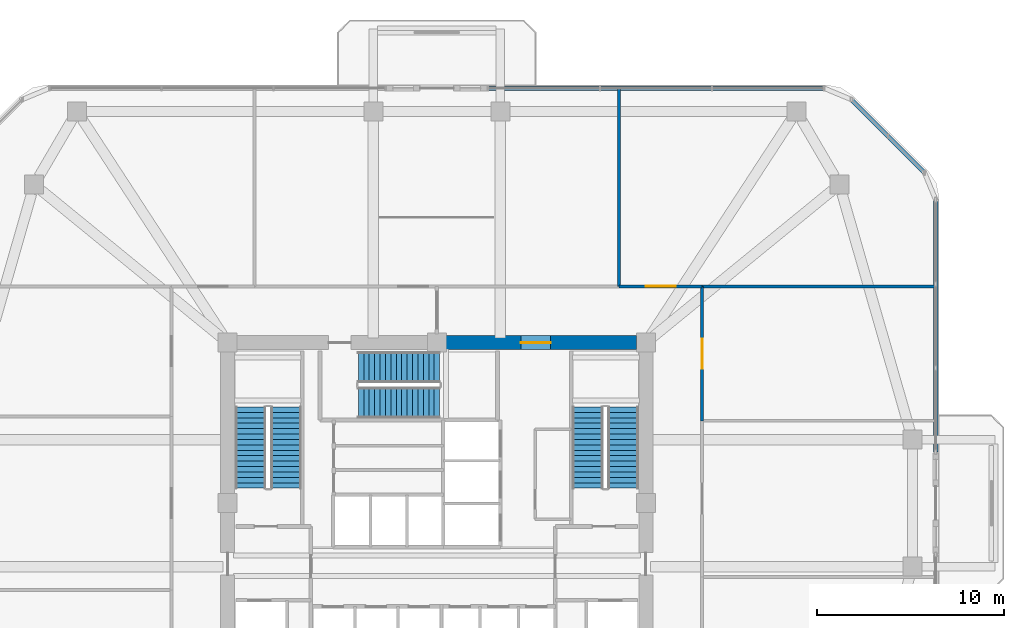
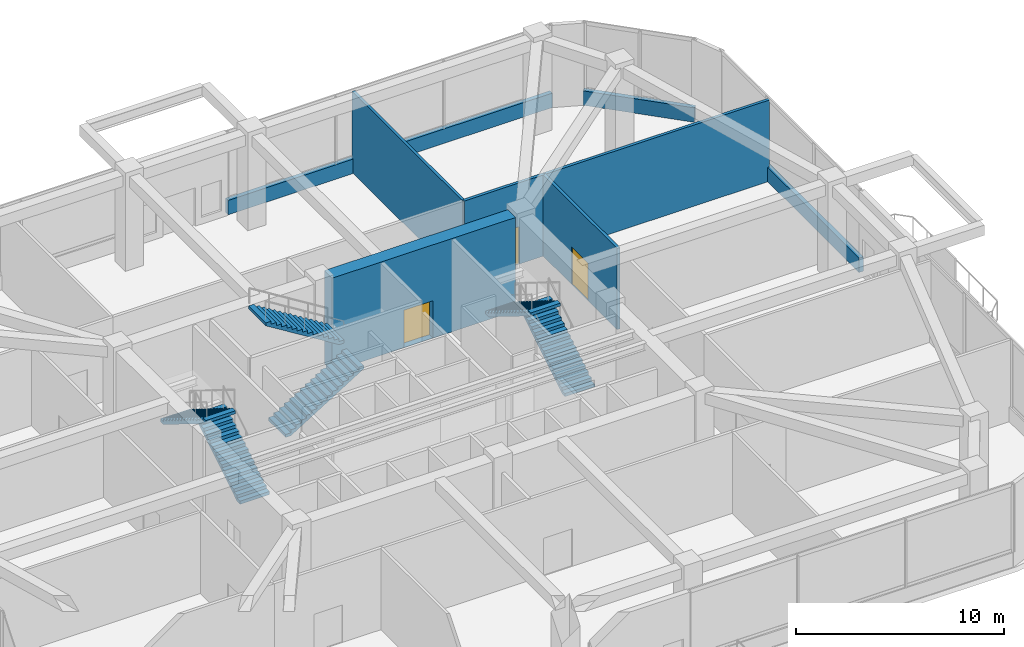
# One storey, part 10 of 13: 8 walls, 6 stair flights, 3 doors, 3 openings, 3 elements without a shape of their own.
"""IFC4 building model written with IfcOpenShell, lengths in metres."""

from ifc_helpers import new_model, si_unit, derived_unit, direction, frame, frame_2d, origin, place, context, subcontext, project, spatial, polyline, rectangle, outline, extrude, material, layer, layer_set, type_object, element, fill, aggregate, save


model = new_model("IFC4")

# Units and contexts
model_context = context("Model", 3, precision=1e-05, world=origin(), true_north=direction((0.0, 1.0)))
body_context = subcontext(model_context, "Body", "Model", "MODEL_VIEW")
ifc_project = project(units=[si_unit("LENGTHUNIT", "METRE"), si_unit("AREAUNIT", "SQUARE_METRE"), si_unit("VOLUMEUNIT", "CUBIC_METRE"), si_unit("PLANEANGLEUNIT", "RADIAN"), si_unit("MASSUNIT", "GRAM", prefix="KILO"), derived_unit("THERMALTRANSMITTANCEUNIT", [(si_unit("POWERUNIT", "WATT"), 1), (si_unit("LENGTHUNIT", "METRE"), -2), (si_unit("THERMODYNAMICTEMPERATUREUNIT", "KELVIN"), -1)])], contexts=[model_context])

# Site, building, storey
site_placement = place(None, origin())
site = spatial("IfcSite", under=ifc_project, at=site_placement, CompositionType="ELEMENT")
building_placement = place(site_placement, origin())
building = spatial("IfcBuilding", under=site, at=building_placement, Name="Koralith Skygarden Medical Center", CompositionType="ELEMENT")
storey_placement = place(building_placement, frame((0.0, 0.0, 75.419921875)))
storey = spatial("IfcBuildingStorey", under=building, at=storey_placement, Name="L19", CompositionType="ELEMENT", Elevation=75.419921875)

# Walls
ifc_material_1 = material(Name="Gypsum Board Partition")
ifc_layer_1 = layer(ifc_material_1, 0.14990234375)
ifc_layer_set_1 = layer_set([ifc_layer_1], Name="Gypsum Board Partition")
wall_type_1 = type_object("IfcWallType", Name="Clinical Acoustic Partition 150", PredefinedType="PARTITIONING", material=ifc_layer_set_1)
wall_1_placement = place(storey_placement, frame((46.758056640625, 37.510009765625, 0.0), z_axis=(0.0, 0.0, 1.0), x_axis=(0.0, 1.0, 0.0)))
element("IfcWall", 1, at=wall_1_placement, inside=storey, type_object=wall_type_1, Name="L19 Clinical Acoustic Partition 150 W-AMPART-L19-N-2", PredefinedType="PARTITIONING", context=body_context, shape_type="SweptSolid", body=[
    extrude(rectangle(XDim=10.590087890625, YDim=0.14990234375, at=frame_2d((5.294921875, 0.0))), origin(), (0.0, 0.0, 1.0), 4.77001953125),
])
ifc_layer_2 = layer(ifc_material_1, 0.1650390625)
ifc_layer_set_2 = layer_set([ifc_layer_2], Name="Gypsum Board Partition")
wall_type_2 = type_object("IfcWallType", Name="Clinical Corridor Partition 165", PredefinedType="PARTITIONING", material=ifc_layer_set_2)
wall_2_placement = place(storey_placement, frame((51.2099609375, 37.510009765625, 0.0), z_axis=(0.0, 0.0, 1.0), x_axis=(1.0, 0.0, 0.0)))
element("IfcWall", 2, at=wall_2_placement, inside=storey, type_object=wall_type_2, Name="L19 Clinical Corridor Partition 165 W-WB-L19-NE", PredefinedType="PARTITIONING", context=body_context, shape_type="SweptSolid", body=[
    extrude(rectangle(XDim=12.489990234375, YDim=0.1650390625, at=frame_2d((6.2451171875, 0.0))), origin(), (0.0, 0.0, 1.0), 4.77001953125),
])

# Wall, opening, door
wall_3_placement = place(storey_placement, frame((46.758056640625, 37.510009765625, 0.0), z_axis=(0.0, 0.0, 1.0), x_axis=(1.0, 0.0, 0.0)))
wall_3 = element("IfcWall", 3, at=wall_3_placement, inside=storey, type_object=wall_type_2, Name="L19 Clinical Corridor Partition 165 W-AMCOR-L19-N-3", PredefinedType="PARTITIONING", context=body_context, shape_type="SweptSolid", body=[
    extrude(rectangle(XDim=4.451904296875, YDim=0.1650390625, at=frame_2d((2.22607421875, 0.0))), origin(), (0.0, 0.0, 1.0), 4.77001953125),
])
opening_1_placement = place(wall_3_placement, frame((1.426025390625, 0.0, 0.0)))
opening_1 = element("IfcOpeningElement", 4, at=opening_1_placement, cuts=wall_3, Name="Opening D-DBL", PredefinedType="OPENING", context=body_context, shape_type="SweptSolid", body=[
    extrude(rectangle(XDim=1.60009765625, YDim=2.199951171875, at=frame_2d((0.800048828125, 1.10009765625))), frame((0.0, 0.092529296875, 0.0), z_axis=(0.0, -1.0, 0.0), x_axis=(1.0, 0.0, 0.0)), (0.0, 0.0, 1.0), 0.18505859375),
])
ifc_material_2 = material(Name="Aluminium 6063-T6", Category="aluminium")
door_type = type_object("IfcDoorType", Name="Double Clinical Suite Door D-DBL 1600", OperationType="NOTDEFINED", PredefinedType="DOOR", material=ifc_material_2)
door_1_placement = place(opening_1_placement, origin())
door_1 = element("IfcDoor", 5, at=door_1_placement, inside=storey, type_object=door_type, Name="L19 Hospital Cafe and Dining Servery Door", OperationType="DOUBLE_DOOR_SINGLE_SWING", OverallHeight=2.199951171875, OverallWidth=1.60009765625, PredefinedType="DOOR", context=body_context, shape_type="SweptSolid", body=[
    extrude(rectangle(XDim=1.60009765625, YDim=2.199951171875, at=frame_2d((0.800048828125, 1.10009765625))), frame((0.0, 0.02490234375, 0.0), z_axis=(0.0, -1.0, 0.0), x_axis=(1.0, 0.0, 0.0)), (0.0, 0.0, 1.0), 0.050048828125),
])
fill(opening_1, door_1)

wall_4_placement = place(storey_placement, frame((51.2099609375, 30.31201171875, 0.0), z_axis=(0.0, 0.0, 1.0), x_axis=(0.0, 1.0, 0.0)))
wall_4 = element("IfcWall", 6, at=wall_4_placement, inside=storey, type_object=wall_type_2, Name="L19 Clinical Corridor Partition 165 W-AMCOR-L19-E-3", PredefinedType="PARTITIONING", context=body_context, shape_type="SweptSolid", body=[
    extrude(rectangle(XDim=7.197998046875, YDim=0.1650390625, at=frame_2d((3.59912109375, 0.0))), origin(), (0.0, 0.0, 1.0), 4.77001953125),
])
opening_2_placement = place(wall_4_placement, frame((2.799072265625, 0.0, 0.0)))
opening_2 = element("IfcOpeningElement", 7, at=opening_2_placement, cuts=wall_4, Name="Opening D-DBL", PredefinedType="OPENING", context=body_context, shape_type="SweptSolid", body=[
    extrude(rectangle(XDim=1.60009765625, YDim=2.199951171875, at=frame_2d((0.800048828125, 1.10009765625))), frame((0.0, 0.092529296875, 0.0), z_axis=(0.0, -1.0, 0.0), x_axis=(1.0, 0.0, 0.0)), (0.0, 0.0, 1.0), 0.18505859375),
])
door_2_placement = place(opening_2_placement, origin())
door_2 = element("IfcDoor", 8, at=door_2_placement, inside=storey, type_object=door_type, Name="L19 Staff Refreshment Pantry Door", OperationType="DOUBLE_DOOR_SINGLE_SWING", OverallHeight=2.199951171875, OverallWidth=1.60009765625, PredefinedType="DOOR", context=body_context, shape_type="SweptSolid", body=[
    extrude(rectangle(XDim=1.60009765625, YDim=2.199951171875, at=frame_2d((0.800048828125, 1.10009765625))), frame((0.0, 0.02490234375, 0.0), z_axis=(0.0, -1.0, 0.0), x_axis=(1.0, 0.0, 0.0)), (0.0, 0.0, 1.0), 0.050048828125),
])
fill(opening_2, door_2)

# Walls
ifc_material_3 = material(Name="Warm Oolitic Limestone Cladding", Category="masonry")
ifc_layer_3 = layer(ifc_material_3, 0.239990234375)
ifc_layer_set_3 = layer_set([ifc_layer_3], Name="Warm Oolitic Limestone Cladding")
wall_type_3 = type_object("IfcWallType", Name="Limestone Spandrel Sill Backup Wall 240", PredefinedType="SOLIDWALL", material=ifc_layer_set_3)
wall_5_placement = place(storey_placement, frame((63.719970703125, 28.638916015625, 0.0), z_axis=(0.0, 0.0, 1.0), x_axis=(0.0, 1.0, 0.0)))
element("IfcWall", 9, at=wall_5_placement, inside=storey, type_object=wall_type_3, Name="L19 Sill Spandrel E-R", PredefinedType="SOLIDWALL", context=body_context, shape_type="SweptSolid", body=[
    extrude(rectangle(XDim=13.506103515625, YDim=0.239990234375, at=frame_2d((6.7529296875, 0.0))), origin(), (0.0, 0.0, 1.0), 0.85009765625),
])
wall_6_placement = place(storey_placement, frame((63.118896484375, 43.595947265625, 0.0), z_axis=(0.0, 0.0, 1.0), x_axis=(-0.707084777957, 0.707128783731, 0.0)))
element("IfcWall", 10, at=wall_6_placement, inside=storey, type_object=wall_type_3, Name="L19 Sill Spandrel NE", PredefinedType="SOLIDWALL", context=body_context, shape_type="SweptSolid", body=[
    extrude(rectangle(XDim=5.5478515625, YDim=0.239990234375, at=frame_2d((2.77392578125, 0.0))), origin(), (0.0, 0.0, 1.0), 0.85009765625),
])
wall_7_placement = place(storey_placement, frame((57.7451171875, 48.1201171875, 0.0), z_axis=(0.0, 0.0, 1.0), x_axis=(-1.0, 0.0, 0.0)))
element("IfcWall", 11, at=wall_7_placement, inside=storey, type_object=wall_type_3, Name="L19 Sill Spandrel N-L", PredefinedType="SOLIDWALL", context=body_context, shape_type="SweptSolid", body=[
    extrude(rectangle(XDim=18.004150390625, YDim=0.239990234375, at=frame_2d((9.001953125, 0.0))), origin(), (0.0, 0.0, 1.0), 0.85009765625),
])

# Wall, opening, door
ifc_material_4 = material(Name="Concrete C70/85", Category="concrete")
ifc_layer_4 = layer(ifc_material_4, 0.75)
ifc_layer_set_4 = layer_set([ifc_layer_4], Name="Concrete C70/85")
wall_type_4 = type_object("IfcWallType", Name="Mid Core Shear Wall 750", PredefinedType="SHEAR", material=ifc_layer_set_4)
wall_8_placement = place(storey_placement, frame((47.695068359375, 34.5, 0.0), z_axis=(0.0, 0.0, 1.0), x_axis=(-1.0, 0.0, 0.0)))
wall_8 = element("IfcWall", 12, at=wall_8_placement, inside=storey, type_object=wall_type_4, Name="L19 Core Shear Wall Segment 5", PredefinedType="SHEAR", context=body_context, shape_type="SweptSolid", body=[
    extrude(rectangle(XDim=10.190185546875, YDim=0.75, at=frame_2d((5.09521484375, 0.0))), origin(), (0.0, 0.0, 1.0), 5.47998046875),
])
opening_3_placement = place(wall_8_placement, frame((4.594970703125, 0.0, 0.0)))
opening_3 = element("IfcOpeningElement", 13, at=opening_3_placement, cuts=wall_8, Name="Opening D-DBL", PredefinedType="OPENING", context=body_context, shape_type="SweptSolid", body=[
    extrude(rectangle(XDim=1.60009765625, YDim=2.199951171875, at=frame_2d((0.800048828125, 1.10009765625))), frame((0.0, 0.385009765625, 0.0), z_axis=(0.0, -1.0, 0.0), x_axis=(1.0, 0.0, 0.0)), (0.0, 0.0, 1.0), 0.77001953125),
])
door_3_placement = place(opening_3_placement, frame((1.60009765625, 0.0, 0.0), z_axis=(0.0, 0.0, 1.0), x_axis=(-1.0, 0.0, 0.0)))
door_3 = element("IfcDoor", 14, at=door_3_placement, inside=storey, type_object=door_type, Name="L19 North-East Corridor to Elevator Lobby Door", OperationType="DOUBLE_DOOR_SINGLE_SWING", OverallHeight=2.199951171875, OverallWidth=1.60009765625, PredefinedType="DOOR", context=body_context, shape_type="SweptSolid", body=[
    extrude(rectangle(XDim=1.60009765625, YDim=2.199951171875, at=frame_2d((0.800048828125, 1.10009765625))), frame((0.0, 0.02490234375, 0.0), z_axis=(0.0, -1.0, 0.0), x_axis=(1.0, 0.0, 0.0)), (0.0, 0.0, 1.0), 0.050048828125),
])
fill(opening_3, door_3)

# Stair, stair flights
ifc_material_5 = material(Name="Concrete C45/55", Category="concrete")
stair_type = type_object("IfcStairType", Name="Core Exit Dogleg Concrete Stair", PredefinedType="HALF_TURN_STAIR", material=ifc_material_5)
stair_1_placement = place(storey_placement, origin())
stair_1 = element("IfcStair", 15, at=stair_1_placement, inside=storey, type_object=stair_type, Name="L19 Smokeproof Exit Stair ST1", PredefinedType="HALF_TURN_STAIR")
stair_flight_type = type_object("IfcStairFlightType", Name="Core Exit Concrete Stair Flight 1650", PredefinedType="STRAIGHT", material=ifc_material_5)
stair_flight_1_placement = place(storey_placement, frame((28.925048828125, 26.699951171875, 0.0), z_axis=(0.0, 0.0, 1.0), x_axis=(0.0, 1.0, 0.0)))
stair_flight_1 = element("IfcStairFlight", 16, at=stair_flight_1_placement, type_object=stair_flight_type, Name="ST1 flight 1", NumberOfRisers=16, NumberOfTreads=15, PredefinedType="STRAIGHT", RiserHeight=0.18, TreadLength=0.29, context=body_context, shape_type="SweptSolid", body=[
    extrude(outline(polyline([(0.0, 0.0), (0.0, 0.179931640625), (0.2900390625, 0.179931640625), (0.2900390625, 0.360107421875), (0.580078125, 0.360107421875), (0.580078125, 0.5400390625), (0.8701171875, 0.5400390625), (0.8701171875, 0.719970703125), (1.159912109375, 0.719970703125), (1.159912109375, 0.89990234375), (1.449951171875, 0.89990234375), (1.449951171875, 1.080078125), (1.739990234375, 1.080078125), (1.739990234375, 1.260009765625), (2.030029296875, 1.260009765625), (2.030029296875, 1.43994140625), (2.320068359375, 1.43994140625), (2.320068359375, 1.6201171875), (2.610107421875, 1.6201171875), (2.610107421875, 1.800048828125), (2.89990234375, 1.800048828125), (2.89990234375, 1.97998046875), (3.18994140625, 1.97998046875), (3.18994140625, 2.159912109375), (3.47998046875, 2.159912109375), (3.47998046875, 2.340087890625), (3.77001953125, 2.340087890625), (3.77001953125, 2.52001953125), (4.06005859375, 2.52001953125), (4.06005859375, 2.699951171875), (4.35009765625, 2.699951171875), (4.35009765625, 2.8798828125), (4.35009765625, 2.523681640625), (0.2841796875, 0.0), (0.0, 0.0)])), frame((0.0, 0.824951171875, 0.0), z_axis=(0.0, -1.0, 0.0), x_axis=(1.0, 0.0, 0.0)), (0.0, 0.0, 1.0), 1.64990234375),
])
stair_flight_2_placement = place(storey_placement, frame((27.02490234375, 31.050048828125, 2.880126953125), z_axis=(0.0, 0.0, 1.0), x_axis=(0.0, -1.0, 0.0)))
stair_flight_2 = element("IfcStairFlight", 17, at=stair_flight_2_placement, type_object=stair_flight_type, Name="ST1 flight 2", NumberOfRisers=16, NumberOfTreads=15, PredefinedType="STRAIGHT", RiserHeight=0.18, TreadLength=0.29, context=body_context, shape_type="SweptSolid", body=[
    extrude(outline(polyline([(0.0, 0.0), (0.0, 0.179931640625), (0.2900390625, 0.179931640625), (0.2900390625, 0.360107421875), (0.580078125, 0.360107421875), (0.580078125, 0.5400390625), (0.8701171875, 0.5400390625), (0.8701171875, 0.719970703125), (1.159912109375, 0.719970703125), (1.159912109375, 0.89990234375), (1.449951171875, 0.89990234375), (1.449951171875, 1.080078125), (1.739990234375, 1.080078125), (1.739990234375, 1.260009765625), (2.030029296875, 1.260009765625), (2.030029296875, 1.43994140625), (2.320068359375, 1.43994140625), (2.320068359375, 1.6201171875), (2.610107421875, 1.6201171875), (2.610107421875, 1.800048828125), (2.89990234375, 1.800048828125), (2.89990234375, 1.97998046875), (3.18994140625, 1.97998046875), (3.18994140625, 2.159912109375), (3.47998046875, 2.159912109375), (3.47998046875, 2.340087890625), (3.77001953125, 2.340087890625), (3.77001953125, 2.52001953125), (4.06005859375, 2.52001953125), (4.06005859375, 2.699951171875), (4.35009765625, 2.699951171875), (4.35009765625, 2.8798828125), (4.35009765625, 2.523681640625), (0.2841796875, 0.0), (0.0, 0.0)])), frame((0.0, 0.824951171875, 0.0), z_axis=(0.0, -1.0, 0.0), x_axis=(1.0, 0.0, 0.0)), (0.0, 0.0, 1.0), 1.64990234375),
])
aggregate(stair_1, [stair_flight_1, stair_flight_2])

stair_2_placement = place(storey_placement, origin())
stair_2 = element("IfcStair", 18, at=stair_2_placement, inside=storey, type_object=stair_type, Name="L19 Smokeproof Exit Stair ST2", PredefinedType="HALF_TURN_STAIR")
stair_flight_3_placement = place(storey_placement, frame((46.97509765625, 26.699951171875, 0.0), z_axis=(0.0, 0.0, 1.0), x_axis=(0.0, 1.0, 0.0)))
stair_flight_3 = element("IfcStairFlight", 19, at=stair_flight_3_placement, type_object=stair_flight_type, Name="ST2 flight 1", NumberOfRisers=16, NumberOfTreads=15, PredefinedType="STRAIGHT", RiserHeight=0.18, TreadLength=0.29, context=body_context, shape_type="SweptSolid", body=[
    extrude(outline(polyline([(0.0, 0.0), (0.0, 0.179931640625), (0.2900390625, 0.179931640625), (0.2900390625, 0.360107421875), (0.580078125, 0.360107421875), (0.580078125, 0.5400390625), (0.8701171875, 0.5400390625), (0.8701171875, 0.719970703125), (1.159912109375, 0.719970703125), (1.159912109375, 0.89990234375), (1.449951171875, 0.89990234375), (1.449951171875, 1.080078125), (1.739990234375, 1.080078125), (1.739990234375, 1.260009765625), (2.030029296875, 1.260009765625), (2.030029296875, 1.43994140625), (2.320068359375, 1.43994140625), (2.320068359375, 1.6201171875), (2.610107421875, 1.6201171875), (2.610107421875, 1.800048828125), (2.89990234375, 1.800048828125), (2.89990234375, 1.97998046875), (3.18994140625, 1.97998046875), (3.18994140625, 2.159912109375), (3.47998046875, 2.159912109375), (3.47998046875, 2.340087890625), (3.77001953125, 2.340087890625), (3.77001953125, 2.52001953125), (4.06005859375, 2.52001953125), (4.06005859375, 2.699951171875), (4.35009765625, 2.699951171875), (4.35009765625, 2.8798828125), (4.35009765625, 2.523681640625), (0.2841796875, 0.0), (0.0, 0.0)])), frame((0.0, 0.824951171875, 0.0), z_axis=(0.0, -1.0, 0.0), x_axis=(1.0, 0.0, 0.0)), (0.0, 0.0, 1.0), 1.64990234375),
])
stair_flight_4_placement = place(storey_placement, frame((45.074951171875, 31.050048828125, 2.880126953125), z_axis=(0.0, 0.0, 1.0), x_axis=(0.0, -1.0, 0.0)))
stair_flight_4 = element("IfcStairFlight", 20, at=stair_flight_4_placement, type_object=stair_flight_type, Name="ST2 flight 2", NumberOfRisers=16, NumberOfTreads=15, PredefinedType="STRAIGHT", RiserHeight=0.18, TreadLength=0.29, context=body_context, shape_type="SweptSolid", body=[
    extrude(outline(polyline([(0.0, 0.0), (0.0, 0.179931640625), (0.2900390625, 0.179931640625), (0.2900390625, 0.360107421875), (0.580078125, 0.360107421875), (0.580078125, 0.5400390625), (0.8701171875, 0.5400390625), (0.8701171875, 0.719970703125), (1.159912109375, 0.719970703125), (1.159912109375, 0.89990234375), (1.449951171875, 0.89990234375), (1.449951171875, 1.080078125), (1.739990234375, 1.080078125), (1.739990234375, 1.260009765625), (2.030029296875, 1.260009765625), (2.030029296875, 1.43994140625), (2.320068359375, 1.43994140625), (2.320068359375, 1.6201171875), (2.610107421875, 1.6201171875), (2.610107421875, 1.800048828125), (2.89990234375, 1.800048828125), (2.89990234375, 1.97998046875), (3.18994140625, 1.97998046875), (3.18994140625, 2.159912109375), (3.47998046875, 2.159912109375), (3.47998046875, 2.340087890625), (3.77001953125, 2.340087890625), (3.77001953125, 2.52001953125), (4.06005859375, 2.52001953125), (4.06005859375, 2.699951171875), (4.35009765625, 2.699951171875), (4.35009765625, 2.8798828125), (4.35009765625, 2.523681640625), (0.2841796875, 0.0), (0.0, 0.0)])), frame((0.0, 0.824951171875, 0.0), z_axis=(0.0, -1.0, 0.0), x_axis=(1.0, 0.0, 0.0)), (0.0, 0.0, 1.0), 1.64990234375),
])
aggregate(stair_2, [stair_flight_3, stair_flight_4])

stair_3_placement = place(storey_placement, origin())
stair_3 = element("IfcStair", 21, at=stair_3_placement, inside=storey, type_object=stair_type, Name="L19 Smokeproof Exit Stair ST3", PredefinedType="HALF_TURN_STAIR")
stair_flight_5_placement = place(storey_placement, frame((32.800048828125, 31.27490234375, 0.0), z_axis=(0.0, 0.0, 1.0), x_axis=(1.0, 0.0, 0.0)))
stair_flight_5 = element("IfcStairFlight", 22, at=stair_flight_5_placement, type_object=stair_flight_type, Name="ST3 flight 1", NumberOfRisers=16, NumberOfTreads=15, PredefinedType="STRAIGHT", RiserHeight=0.18, TreadLength=0.29, context=body_context, shape_type="SweptSolid", body=[
    extrude(outline(polyline([(0.0, 0.0), (0.0, 0.179931640625), (0.2900390625, 0.179931640625), (0.2900390625, 0.360107421875), (0.580078125, 0.360107421875), (0.580078125, 0.5400390625), (0.8701171875, 0.5400390625), (0.8701171875, 0.719970703125), (1.159912109375, 0.719970703125), (1.159912109375, 0.89990234375), (1.449951171875, 0.89990234375), (1.449951171875, 1.080078125), (1.739990234375, 1.080078125), (1.739990234375, 1.260009765625), (2.030029296875, 1.260009765625), (2.030029296875, 1.43994140625), (2.320068359375, 1.43994140625), (2.320068359375, 1.6201171875), (2.610107421875, 1.6201171875), (2.610107421875, 1.800048828125), (2.89990234375, 1.800048828125), (2.89990234375, 1.97998046875), (3.18994140625, 1.97998046875), (3.18994140625, 2.159912109375), (3.47998046875, 2.159912109375), (3.47998046875, 2.340087890625), (3.77001953125, 2.340087890625), (3.77001953125, 2.52001953125), (4.06005859375, 2.52001953125), (4.06005859375, 2.699951171875), (4.35009765625, 2.699951171875), (4.35009765625, 2.8798828125), (4.35009765625, 2.523681640625), (0.2841796875, 0.0), (0.0, 0.0)])), frame((0.0, 0.824951171875, 0.0), z_axis=(0.0, -1.0, 0.0), x_axis=(1.0, 0.0, 0.0)), (0.0, 0.0, 1.0), 1.64990234375),
])
stair_flight_6_placement = place(storey_placement, frame((37.14990234375, 33.175048828125, 2.880126953125), z_axis=(0.0, 0.0, 1.0), x_axis=(-1.0, 0.0, 0.0)))
stair_flight_6 = element("IfcStairFlight", 23, at=stair_flight_6_placement, type_object=stair_flight_type, Name="ST3 flight 2", NumberOfRisers=16, NumberOfTreads=15, PredefinedType="STRAIGHT", RiserHeight=0.18, TreadLength=0.29, context=body_context, shape_type="SweptSolid", body=[
    extrude(outline(polyline([(0.0, 0.0), (0.0, 0.179931640625), (0.2900390625, 0.179931640625), (0.2900390625, 0.360107421875), (0.580078125, 0.360107421875), (0.580078125, 0.5400390625), (0.8701171875, 0.5400390625), (0.8701171875, 0.719970703125), (1.159912109375, 0.719970703125), (1.159912109375, 0.89990234375), (1.449951171875, 0.89990234375), (1.449951171875, 1.080078125), (1.739990234375, 1.080078125), (1.739990234375, 1.260009765625), (2.030029296875, 1.260009765625), (2.030029296875, 1.43994140625), (2.320068359375, 1.43994140625), (2.320068359375, 1.6201171875), (2.610107421875, 1.6201171875), (2.610107421875, 1.800048828125), (2.89990234375, 1.800048828125), (2.89990234375, 1.97998046875), (3.18994140625, 1.97998046875), (3.18994140625, 2.159912109375), (3.47998046875, 2.159912109375), (3.47998046875, 2.340087890625), (3.77001953125, 2.340087890625), (3.77001953125, 2.52001953125), (4.06005859375, 2.52001953125), (4.06005859375, 2.699951171875), (4.35009765625, 2.699951171875), (4.35009765625, 2.8798828125), (4.35009765625, 2.523681640625), (0.2841796875, 0.0), (0.0, 0.0)])), frame((0.0, 0.824951171875, 0.0), z_axis=(0.0, -1.0, 0.0), x_axis=(1.0, 0.0, 0.0)), (0.0, 0.0, 1.0), 1.64990234375),
])
aggregate(stair_3, [stair_flight_5, stair_flight_6])

save(model, "model.ifc")
